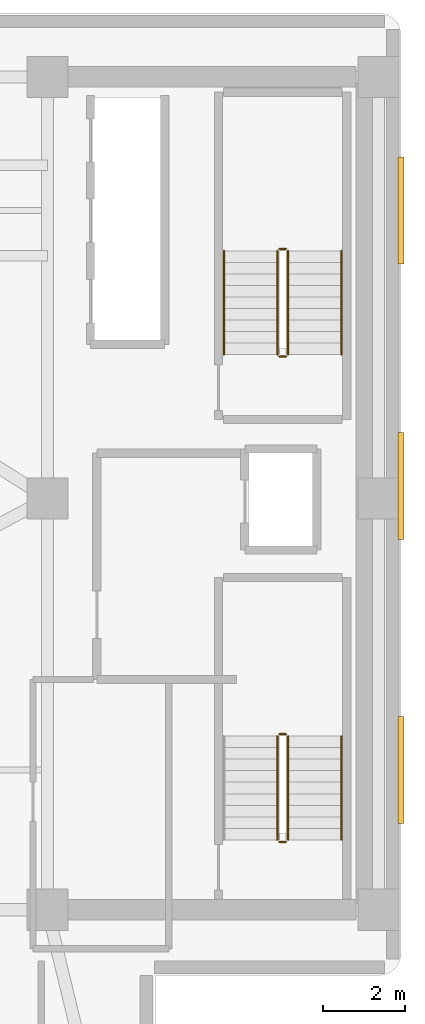
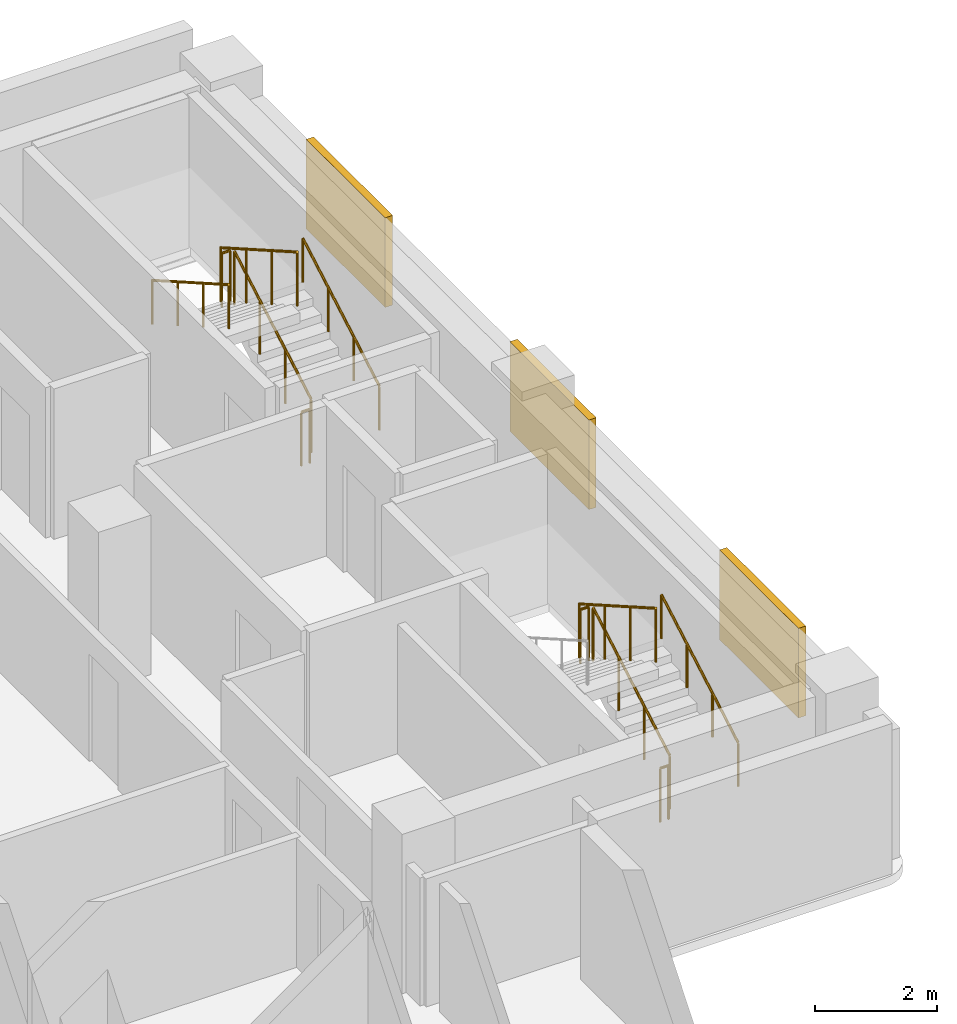
# One storey, part 11 of 11: 11 railings, 3 shading devices.
"""IFC4 building model written with IfcOpenShell, lengths in metres."""

from ifc_helpers import new_model, si_unit, direction, frame, origin, origin_2d, place, context, subcontext, project, spatial, rectangle, circle, extrude, material, layer, layer_set, type_object, element, save


model = new_model("IFC4")

# Units and contexts
model_context = context("Model", 3, precision=1e-05, world=origin(), true_north=direction((0.0, 1.0)))
body_context = subcontext(model_context, "Body", "Model", "MODEL_VIEW")
ifc_project = project(units=[si_unit("LENGTHUNIT", "METRE"), si_unit("AREAUNIT", "SQUARE_METRE"), si_unit("VOLUMEUNIT", "CUBIC_METRE"), si_unit("PLANEANGLEUNIT", "RADIAN"), si_unit("MASSUNIT", "GRAM", prefix="KILO")], contexts=[model_context])

# Site, building, storey
site_placement = place(None, origin())
site = spatial("IfcSite", under=ifc_project, at=site_placement, CompositionType="ELEMENT")
building_placement = place(site_placement, origin())
building = spatial("IfcBuilding", under=site, at=building_placement, Name="Kuzgunbayir Cultural Tower", CompositionType="ELEMENT")
storey_placement = place(building_placement, frame((0.0, 0.0, 83.39990234375)))
storey = spatial("IfcBuildingStorey", under=building, at=storey_placement, Name="L23", CompositionType="ELEMENT", Elevation=83.39990234375)

# Railings
ifc_material_1 = material(Name="Brushed Stainless Steel", Category="steel")
ifc_layer_1 = layer(ifc_material_1, 0.050048828125)
ifc_layer_set_1 = layer_set([ifc_layer_1], Name="Brushed Stainless Steel")
railing_type_1 = type_object("IfcRailingType", Name="RLG-STAIR-HANDRAIL", PredefinedType="HANDRAIL", material=ifc_layer_set_1)
for number, where, name in (
    (1, (71.75, 23.699951171875, 0.16015625), "L23 ST-3 stair handrail 1"),
    (2, (71.75, 35.5, 0.16015625), "L23 ST-4 stair handrail 1"),
):
    element("IfcRailing", number, at=place(storey_placement, frame(where)), inside=storey, type_object=railing_type_1, Name=name, PredefinedType="HANDRAIL", context=body_context, shape_type="SweptSolid", body=[
        extrude(circle(Radius=0.02392578125, at=origin_2d()), frame((0.0, 0.0, 0.8759765625), z_axis=(0.0, 0.868253494771, 0.496120820787), x_axis=(-1.0, 0.0, 0.0)), (0.0, 0.0, 1.0), 2.90234375),
        extrude(circle(Radius=0.02099609375, at=origin_2d()), origin(), (0.0, 0.0, 1.0), 0.851806640625),
        extrude(circle(Radius=0.02099609375, at=origin_2d()), frame((0.0, 0.840087890625, 0.47998046875)), (0.0, 0.0, 1.0), 0.851806640625),
        extrude(circle(Radius=0.02099609375, at=origin_2d()), frame((0.0, 1.679931640625, 0.9599609375)), (0.0, 0.0, 1.0), 0.851806640625),
        extrude(circle(Radius=0.02099609375, at=origin_2d()), frame((0.0, 2.52001953125, 1.43994140625)), (0.0, 0.0, 1.0), 0.851806640625),
    ])
railing_1_placement = place(storey_placement, frame((68.889892578125, 38.02001953125, 1.760009765625)))
element("IfcRailing", 3, at=railing_1_placement, inside=storey, type_object=railing_type_1, Name="L23 ST-4 stair handrail 2", PredefinedType="HANDRAIL", context=body_context, shape_type="SweptSolid", body=[
    extrude(circle(Radius=0.02392578125, at=origin_2d()), frame((0.0, 0.0, 0.8759765625), z_axis=(0.0, -0.868217259934, 0.496184229447), x_axis=(1.0, 0.0, 0.0)), (0.0, 0.0, 1.0), 2.902587890625),
    extrude(circle(Radius=0.02099609375, at=origin_2d()), origin(), (0.0, 0.0, 1.0), 0.851806640625),
    extrude(circle(Radius=0.02099609375, at=origin_2d()), frame((0.0, -0.840087890625, 0.47998046875)), (0.0, 0.0, 1.0), 0.851806640625),
    extrude(circle(Radius=0.02099609375, at=origin_2d()), frame((0.0, -1.679931640625, 0.960205078125)), (0.0, 0.0, 1.0), 0.851806640625),
    extrude(circle(Radius=0.02099609375, at=origin_2d()), frame((0.0, -2.52001953125, 1.440185546875)), (0.0, 0.0, 1.0), 0.851806640625),
])
ifc_material_2 = material(Name="Painted Steel Balustrade", Category="steel")
ifc_layer_2 = layer(ifc_material_2, 0.06005859375)
ifc_layer_set_2 = layer_set([ifc_layer_2], Name="Painted Steel Balustrade")
railing_type_2 = type_object("IfcRailingType", Name="RLG-WELL-GUARD", PredefinedType="GUARDRAIL", material=ifc_layer_set_2)
railing_2_placement = place(storey_placement, frame((70.449951171875, 23.699951171875, 0.16015625)))
element("IfcRailing", 4, at=railing_2_placement, inside=storey, type_object=railing_type_2, Name="L23 ST-3 stair guard 1", PredefinedType="GUARDRAIL", context=body_context, shape_type="SweptSolid", body=[
    extrude(circle(Radius=0.02392578125, at=origin_2d()), frame((0.0, 0.0, 1.076171875), z_axis=(0.0, 0.868253494771, 0.496120820787), x_axis=(-1.0, 0.0, 0.0)), (0.0, 0.0, 1.0), 2.90234375),
    extrude(circle(Radius=0.02099609375, at=origin_2d()), origin(), (0.0, 0.0, 1.0), 1.052001953125),
    extrude(circle(Radius=0.02099609375, at=origin_2d()), frame((0.0, 0.840087890625, 0.47998046875)), (0.0, 0.0, 1.0), 1.052001953125),
    extrude(circle(Radius=0.02099609375, at=origin_2d()), frame((0.0, 1.679931640625, 0.9599609375)), (0.0, 0.0, 1.0), 1.052001953125),
    extrude(circle(Radius=0.02099609375, at=origin_2d()), frame((0.0, 2.52001953125, 1.43994140625)), (0.0, 0.0, 1.0), 1.052001953125),
])
railing_3_placement = place(storey_placement, frame((70.39990234375, 26.27001953125, 1.60009765625)))
element("IfcRailing", 5, at=railing_3_placement, inside=storey, type_object=railing_type_2, Name="L23 ST-3 stair guard 2", PredefinedType="GUARDRAIL", context=body_context, shape_type="SweptSolid", body=[
    extrude(circle(Radius=0.02392578125, at=origin_2d()), frame((0.0, 0.0, 1.076171875), z_axis=(-1.0, 0.0, 0.0), x_axis=(0.0, -1.0, 0.0)), (0.0, 0.0, 1.0), 0.159912109375),
    extrude(circle(Radius=0.02099609375, at=origin_2d()), origin(), (0.0, 0.0, 1.0), 1.052001953125),
    extrude(circle(Radius=0.02099609375, at=origin_2d()), frame((-0.159912109375, 0.0, 0.0)), (0.0, 0.0, 1.0), 1.052001953125),
])
railing_4_placement = place(storey_placement, frame((70.18994140625, 26.219970703125, 1.760009765625)))
element("IfcRailing", 6, at=railing_4_placement, inside=storey, type_object=railing_type_2, Name="L23 ST-3 stair guard 3", PredefinedType="GUARDRAIL", context=body_context, shape_type="SweptSolid", body=[
    extrude(circle(Radius=0.02392578125, at=origin_2d()), frame((0.0, 0.0, 1.076171875), z_axis=(0.0, -0.868217259934, 0.496184229447), x_axis=(1.0, 0.0, 0.0)), (0.0, 0.0, 1.0), 2.902587890625),
    extrude(circle(Radius=0.02099609375, at=origin_2d()), origin(), (0.0, 0.0, 1.0), 1.052001953125),
    extrude(circle(Radius=0.02099609375, at=origin_2d()), frame((0.0, -0.840087890625, 0.47998046875)), (0.0, 0.0, 1.0), 1.052001953125),
    extrude(circle(Radius=0.02099609375, at=origin_2d()), frame((0.0, -1.679931640625, 0.960205078125)), (0.0, 0.0, 1.0), 1.052001953125),
    extrude(circle(Radius=0.02099609375, at=origin_2d()), frame((0.0, -2.52001953125, 1.440185546875)), (0.0, 0.0, 1.0), 1.052001953125),
])
railing_5_placement = place(storey_placement, frame((70.39990234375, 23.64990234375, 0.0)))
element("IfcRailing", 7, at=railing_5_placement, inside=storey, type_object=railing_type_2, Name="L23 ST-3 stair guard 4", PredefinedType="GUARDRAIL", context=body_context, shape_type="SweptSolid", body=[
    extrude(circle(Radius=0.02392578125, at=origin_2d()), frame((0.0, 0.0, 1.076171875), z_axis=(-1.0, 0.0, 0.0), x_axis=(0.0, -1.0, 0.0)), (0.0, 0.0, 1.0), 0.159912109375),
    extrude(circle(Radius=0.02099609375, at=origin_2d()), origin(), (0.0, 0.0, 1.0), 1.052001953125),
    extrude(circle(Radius=0.02099609375, at=origin_2d()), frame((-0.159912109375, 0.0, 0.0)), (0.0, 0.0, 1.0), 1.052001953125),
])
railing_6_placement = place(storey_placement, frame((70.449951171875, 35.5, 0.16015625)))
element("IfcRailing", 8, at=railing_6_placement, inside=storey, type_object=railing_type_2, Name="L23 ST-4 stair guard 1", PredefinedType="GUARDRAIL", context=body_context, shape_type="SweptSolid", body=[
    extrude(circle(Radius=0.02392578125, at=origin_2d()), frame((0.0, 0.0, 1.076171875), z_axis=(0.0, 0.868253494771, 0.496120820787), x_axis=(-1.0, 0.0, 0.0)), (0.0, 0.0, 1.0), 2.90234375),
    extrude(circle(Radius=0.02099609375, at=origin_2d()), origin(), (0.0, 0.0, 1.0), 1.052001953125),
    extrude(circle(Radius=0.02099609375, at=origin_2d()), frame((0.0, 0.840087890625, 0.47998046875)), (0.0, 0.0, 1.0), 1.052001953125),
    extrude(circle(Radius=0.02099609375, at=origin_2d()), frame((0.0, 1.679931640625, 0.9599609375)), (0.0, 0.0, 1.0), 1.052001953125),
    extrude(circle(Radius=0.02099609375, at=origin_2d()), frame((0.0, 2.52001953125, 1.43994140625)), (0.0, 0.0, 1.0), 1.052001953125),
])
railing_7_placement = place(storey_placement, frame((70.39990234375, 38.070068359375, 1.60009765625)))
element("IfcRailing", 9, at=railing_7_placement, inside=storey, type_object=railing_type_2, Name="L23 ST-4 stair guard 2", PredefinedType="GUARDRAIL", context=body_context, shape_type="SweptSolid", body=[
    extrude(circle(Radius=0.02392578125, at=origin_2d()), frame((0.0, 0.0, 1.076171875), z_axis=(-1.0, 0.0, 0.0), x_axis=(0.0, -1.0, 0.0)), (0.0, 0.0, 1.0), 0.159912109375),
    extrude(circle(Radius=0.02099609375, at=origin_2d()), origin(), (0.0, 0.0, 1.0), 1.052001953125),
    extrude(circle(Radius=0.02099609375, at=origin_2d()), frame((-0.159912109375, 0.0, 0.0)), (0.0, 0.0, 1.0), 1.052001953125),
])
railing_8_placement = place(storey_placement, frame((70.18994140625, 38.02001953125, 1.760009765625)))
element("IfcRailing", 10, at=railing_8_placement, inside=storey, type_object=railing_type_2, Name="L23 ST-4 stair guard 3", PredefinedType="GUARDRAIL", context=body_context, shape_type="SweptSolid", body=[
    extrude(circle(Radius=0.02392578125, at=origin_2d()), frame((0.0, 0.0, 1.076171875), z_axis=(0.0, -0.868217259934, 0.496184229447), x_axis=(1.0, 0.0, 0.0)), (0.0, 0.0, 1.0), 2.902587890625),
    extrude(circle(Radius=0.02099609375, at=origin_2d()), origin(), (0.0, 0.0, 1.0), 1.052001953125),
    extrude(circle(Radius=0.02099609375, at=origin_2d()), frame((0.0, -0.840087890625, 0.47998046875)), (0.0, 0.0, 1.0), 1.052001953125),
    extrude(circle(Radius=0.02099609375, at=origin_2d()), frame((0.0, -1.679931640625, 0.960205078125)), (0.0, 0.0, 1.0), 1.052001953125),
    extrude(circle(Radius=0.02099609375, at=origin_2d()), frame((0.0, -2.52001953125, 1.440185546875)), (0.0, 0.0, 1.0), 1.052001953125),
])
railing_9_placement = place(storey_placement, frame((70.39990234375, 35.449951171875, 0.0)))
element("IfcRailing", 11, at=railing_9_placement, inside=storey, type_object=railing_type_2, Name="L23 ST-4 stair guard 4", PredefinedType="GUARDRAIL", context=body_context, shape_type="SweptSolid", body=[
    extrude(circle(Radius=0.02392578125, at=origin_2d()), frame((0.0, 0.0, 1.076171875), z_axis=(-1.0, 0.0, 0.0), x_axis=(0.0, -1.0, 0.0)), (0.0, 0.0, 1.0), 0.159912109375),
    extrude(circle(Radius=0.02099609375, at=origin_2d()), origin(), (0.0, 0.0, 1.0), 1.052001953125),
    extrude(circle(Radius=0.02099609375, at=origin_2d()), frame((-0.159912109375, 0.0, 0.0)), (0.0, 0.0, 1.0), 1.052001953125),
])

# Shading devices
ifc_material_3 = material(Name="Perforated Bronze-Anodised Aluminium", Category="aluminium")
shading_device_type = type_object("IfcShadingDeviceType", Name="SHD-SOLAR-BRONZE", PredefinedType="JALOUSIE", material=ifc_material_3)
for number, where, z_axis, x_axis, name in (
    (12, (73.199951171875, 25.39990234375, 0.80029296875), (0.0, 0.0, 1.0), (1.0, 0.0, 0.0), "L23 Companion East Bronze Solar Screen 25"),
    (13, (73.199951171875, 32.300048828125, 0.80029296875), (0.0, 0.0, 1.0), (1.0, 0.0, 0.0), "L23 Companion East Bronze Solar Screen 32"),
    (14, (73.199951171875, 39.0, 0.80029296875), (0.0, 0.0, 1.0), (1.0, 0.0, 0.0), "L23 Companion East Bronze Solar Screen 39"),
):
    element("IfcShadingDevice", number, at=place(storey_placement, frame(where, z_axis=z_axis, x_axis=x_axis)), inside=storey, type_object=shading_device_type, Name=name, PredefinedType="JALOUSIE", context=body_context, shape_type="SweptSolid", body=[
        extrude(rectangle(XDim=0.139892578125, YDim=2.60009765625, at=origin_2d()), origin(), (0.0, 0.0, 1.0), 1.800048828125),
    ])

save(model, "model.ifc")
